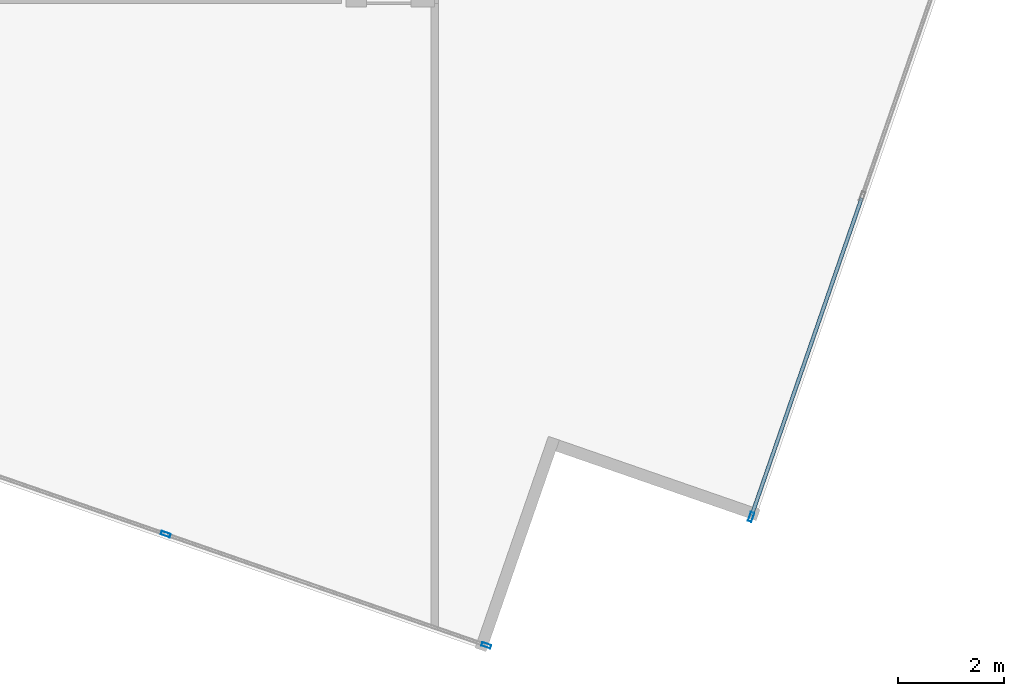
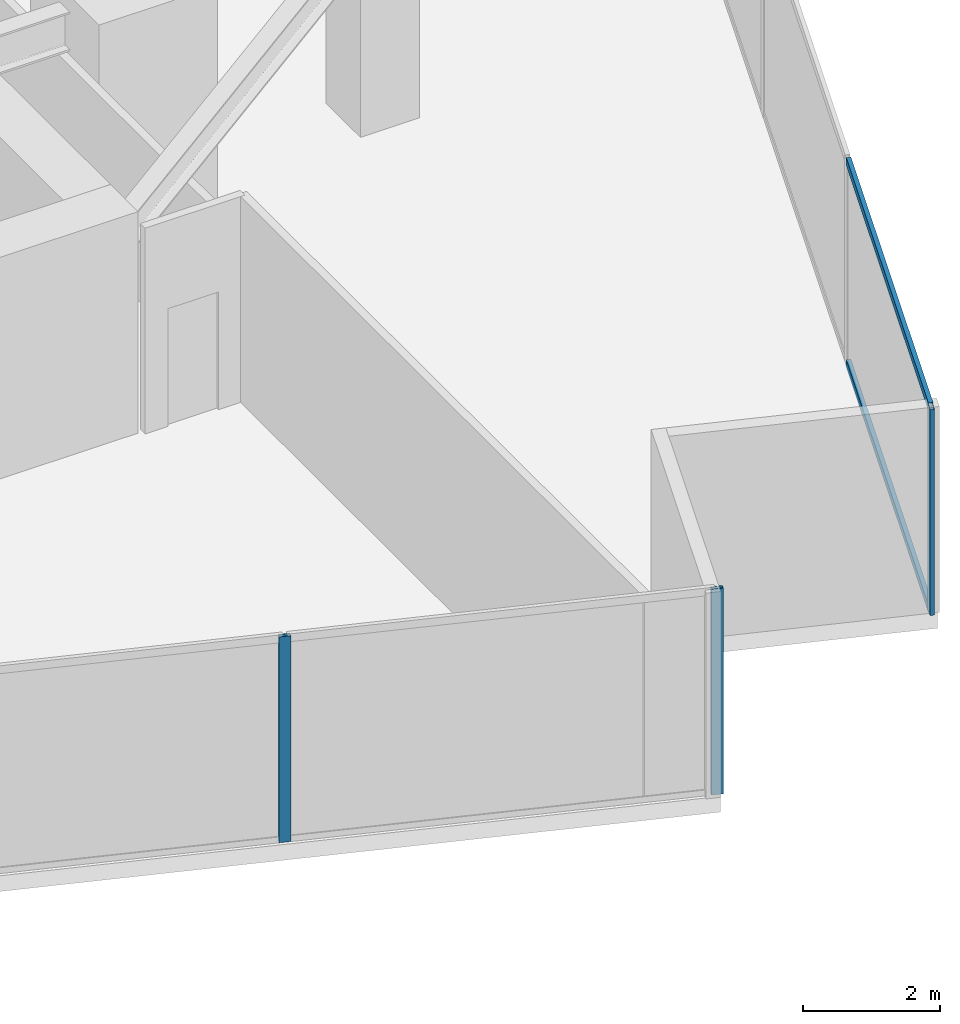
# One storey, part 10 of 27: 5 members, 2 elements without a shape of their own.
"""IFC4 building model written with IfcOpenShell, lengths in metres."""

from ifc_helpers import new_model, si_unit, direction, frame, origin, origin_2d, place, context, subcontext, project, spatial, hollow_rectangle, extrude, source, transform, mapped, material, material_profile, profile_set, type_object, type_shapes, element, aggregate, save


model = new_model("IFC4")

# Units and contexts
model_context = context("Model", 3, precision=1e-05, world=origin(), true_north=direction((0.0, 1.0)))
body_context = subcontext(model_context, "Body", "Model", "MODEL_VIEW")
ifc_project = project(units=[si_unit("LENGTHUNIT", "METRE"), si_unit("AREAUNIT", "SQUARE_METRE"), si_unit("VOLUMEUNIT", "CUBIC_METRE"), si_unit("PLANEANGLEUNIT", "RADIAN"), si_unit("MASSUNIT", "GRAM", prefix="KILO")], contexts=[model_context])

# Site, building, storey
site_placement = place(None, origin())
site = spatial("IfcSite", under=ifc_project, at=site_placement, CompositionType="ELEMENT")
building_placement = place(site_placement, origin())
building = spatial("IfcBuilding", under=site, at=building_placement, Name="Krantzveldt Concourse Tower", CompositionType="ELEMENT")
storey_placement = place(building_placement, frame((0.0, 0.0, 125.60009765625)))
storey = spatial("IfcBuildingStorey", under=building, at=storey_placement, Name="L30", CompositionType="ELEMENT", Elevation=125.60009765625)

# Curtain wall, members
ifc_material = material(Name="Anodised aluminium 6063-T6", Category="aluminium")
curtain_wall_type = type_object("IfcCurtainWallType", Name="CW2", PredefinedType="USERDEFINED", material=ifc_material)
curtain_wall_1_placement = place(storey_placement, origin())
curtain_wall_1 = element("IfcCurtainWall", 1, at=curtain_wall_1_placement, inside=storey, type_object=curtain_wall_type, Name="CW-L30-F04", ObjectType="UNITISED CURTAIN WALL", PredefinedType="USERDEFINED")
ifc_material_profile_1 = material_profile(ifc_material, hollow_rectangle(XDim=0.070068359375, YDim=0.179931640625, WallThickness=0.0048828125, at=origin_2d()), Name="Anodised aluminium 6063-T6", Category="aluminium")
ifc_profile_set_1 = profile_set([ifc_material_profile_1], Name="Anodised aluminium 6063-T6 - ALU-MULL 180x70x5")
member_type_1 = type_object("IfcMemberType", Name="CW-MUL-180", PredefinedType="MULLION", material=ifc_profile_set_1)
shared_shape_1 = source(origin(), body_context, "Body", "SweptSolid", [
    extrude(hollow_rectangle(XDim=0.070068359375, YDim=0.179931640625, WallThickness=0.0048828125, at=origin_2d()), origin(), (0.0, 0.0, 1.0), 3.669921875),
])
type_shapes(member_type_1, [shared_shape_1])
member_1_placement = place(storey_placement, frame((40.58251953125, 0.439208984375, 0.0), z_axis=(0.0, 0.0, 1.0), x_axis=(0.32763019404, 0.944806041446, 0.0)))
member_1 = element("IfcMember", 2, at=member_1_placement, type_object=member_type_1, Name="CW-Z12 mullion 6", PredefinedType="MULLION", context=body_context, shape_type="MappedRepresentation", body=[
    mapped(shared_shape_1, transform((0.0, 0.0, 0.0), x_axis=(1.0, 0.0, 0.0), y_axis=(0.0, 1.0, 0.0), z_axis=(0.0, 0.0, 1.0), scale=1.0)),
])
member_2_placement = place(storey_placement, frame((46.6591796875, -1.66796875, 0.0), z_axis=(0.0, 0.0, 1.0), x_axis=(0.32763019404, 0.944806041446, 0.0)))
member_2 = element("IfcMember", 3, at=member_2_placement, type_object=member_type_1, Name="CW-Z12 mullion 7", PredefinedType="MULLION", context=body_context, shape_type="MappedRepresentation", body=[
    mapped(shared_shape_1, transform((0.0, 0.0, 0.0), x_axis=(1.0, 0.0, 0.0), y_axis=(0.0, 1.0, 0.0), z_axis=(0.0, 0.0, 1.0), scale=1.0)),
])
aggregate(curtain_wall_1, [member_1, member_2])

curtain_wall_2_placement = place(storey_placement, origin())
curtain_wall_2 = element("IfcCurtainWall", 4, at=curtain_wall_2_placement, inside=storey, type_object=curtain_wall_type, Name="CW-L30-F07", ObjectType="UNITISED CURTAIN WALL", PredefinedType="USERDEFINED")
member_3_placement = place(storey_placement, frame((51.678955078125, 0.766845703125, 0.0), z_axis=(0.0, 0.0, 1.0), x_axis=(-0.944806041446, 0.32763019404, 0.0)))
member_3 = element("IfcMember", 5, at=member_3_placement, type_object=member_type_1, Name="CW-Z12 mullion 1", PredefinedType="MULLION", context=body_context, shape_type="MappedRepresentation", body=[
    mapped(shared_shape_1, transform((0.0, 0.0, 0.0), x_axis=(1.0, 0.0, 0.0), y_axis=(0.0, 1.0, 0.0), z_axis=(0.0, 0.0, 1.0), scale=1.0)),
])
ifc_material_profile_2 = material_profile(ifc_material, hollow_rectangle(XDim=0.070068359375, YDim=0.139892578125, WallThickness=0.0048828125, at=origin_2d()), Name="Anodised aluminium 6063-T6", Category="aluminium")
ifc_profile_set_2 = profile_set([ifc_material_profile_2], Name="Anodised aluminium 6063-T6 - ALU-TRAN 140x70x5")
member_type_2 = type_object("IfcMemberType", Name="CW-TRN-150", PredefinedType="USERDEFINED", material=ifc_profile_set_2)
shared_shape_2 = source(origin(), body_context, "Body", "SweptSolid", [
    extrude(hollow_rectangle(XDim=0.070068359375, YDim=0.139892578125, WallThickness=0.0048828125, at=origin_2d()), origin(), (0.0, 0.0, 1.0), 6.361572265625),
])
type_shapes(member_type_2, [shared_shape_2])
member_4_placement = place(storey_placement, frame((51.6904296875, 0.7998046875, 0.034912109375), z_axis=(0.327625894764, 0.944807532294, 0.0), x_axis=(-0.944807532294, 0.327625894764, 0.0)))
member_4 = element("IfcMember", 6, at=member_4_placement, type_object=member_type_2, Name="CW-Z12 transom 1.1", ObjectType="TRANSOM", PredefinedType="USERDEFINED", context=body_context, shape_type="MappedRepresentation", body=[
    mapped(shared_shape_2, transform((0.0, 0.0, 0.0), x_axis=(1.0, 0.0, 0.0), y_axis=(0.0, 1.0, 0.0), z_axis=(0.0, 0.0, 1.0), scale=1.0)),
])
member_5_placement = place(storey_placement, frame((51.6904296875, 0.7998046875, 3.635009765625), z_axis=(0.327625894764, 0.944807532294, 0.0), x_axis=(-0.944807532294, 0.327625894764, 0.0)))
member_5 = element("IfcMember", 7, at=member_5_placement, type_object=member_type_2, Name="CW-Z12 transom 1.2", ObjectType="TRANSOM", PredefinedType="USERDEFINED", context=body_context, shape_type="MappedRepresentation", body=[
    mapped(shared_shape_2, transform((0.0, 0.0, 0.0), x_axis=(1.0, 0.0, 0.0), y_axis=(0.0, 1.0, 0.0), z_axis=(0.0, 0.0, 1.0), scale=1.0)),
])
aggregate(curtain_wall_2, [member_3, member_4, member_5])

save(model, "model.ifc")
